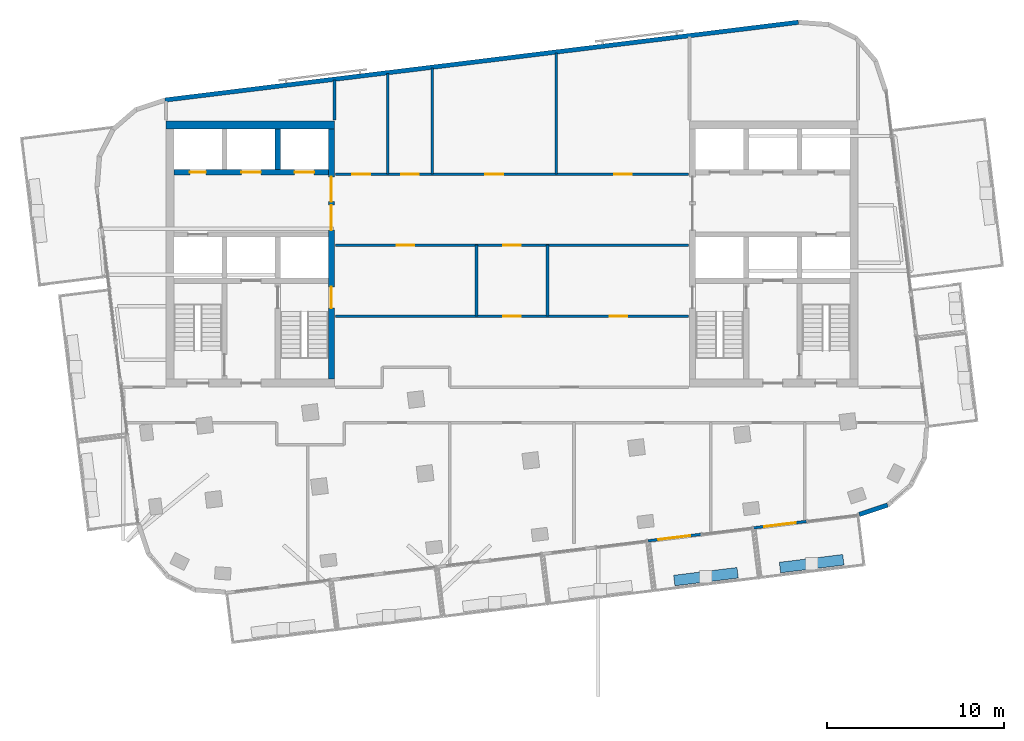
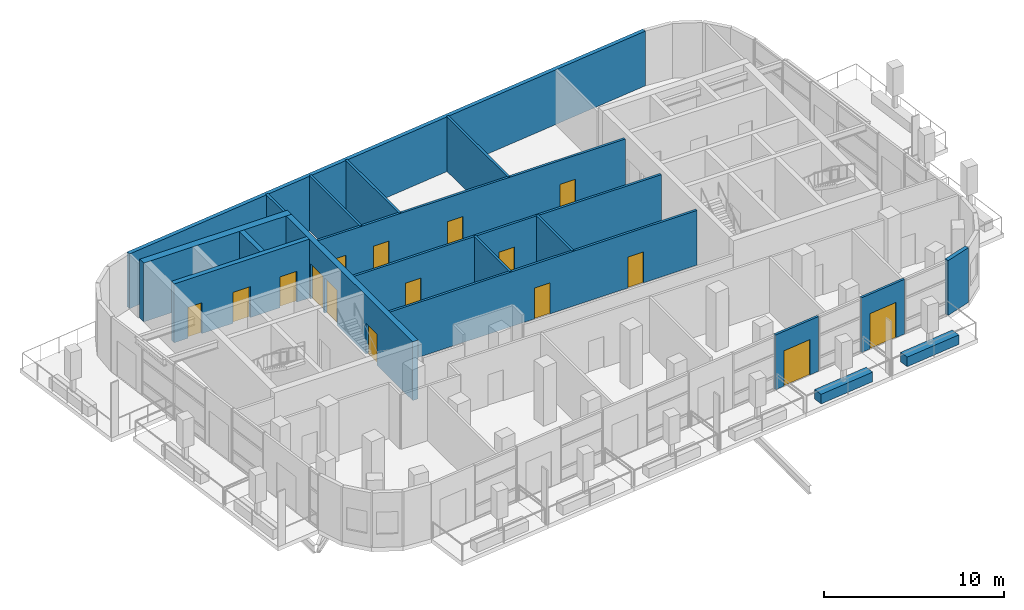
# One storey, part 7 of 13: 19 walls, 16 doors, 16 openings.
"""IFC4 building model written with IfcOpenShell, lengths in metres."""

from ifc_helpers import new_model, si_unit, direction, frame, frame_2d, origin, place, context, subcontext, project, spatial, rectangle, extrude, material, layer, layer_set, type_object, element, fill, save


model = new_model("IFC4")

# Units and contexts
model_context = context("Model", 3, precision=1e-05, world=origin(), true_north=direction((0.0, 1.0)))
body_context = subcontext(model_context, "Body", "Model", "MODEL_VIEW")
ifc_project = project(units=[si_unit("LENGTHUNIT", "METRE"), si_unit("AREAUNIT", "SQUARE_METRE"), si_unit("VOLUMEUNIT", "CUBIC_METRE"), si_unit("PLANEANGLEUNIT", "RADIAN"), si_unit("MASSUNIT", "GRAM", prefix="KILO")], contexts=[model_context])

# Site, building, storey
site_placement = place(None, origin())
site = spatial("IfcSite", under=ifc_project, at=site_placement, CompositionType="ELEMENT")
building_placement = place(site_placement, origin())
building = spatial("IfcBuilding", under=site, at=building_placement, Name="Torana Hotel and Residences", CompositionType="ELEMENT")
storey_placement = place(building_placement, frame((0.0, 0.0, 314.60009765625)))
storey = spatial("IfcBuildingStorey", under=building, at=storey_placement, Name="L83", CompositionType="ELEMENT", Elevation=314.60009765625)

# Wall, openings, doors
ifc_material_1 = material(Name="Concrete C60/75", Category="concrete")
ifc_layer_1 = layer(ifc_material_1, 0.300048828125)
ifc_layer_set_1 = layer_set([ifc_layer_1], Name="CORE WALL 300 C60/75")
wall_type_1 = type_object("IfcWallType", Name="CORE WALL 300 C60/75", PredefinedType="SHEAR", material=ifc_layer_set_1)
wall_1_placement = place(storey_placement, frame((-19.050048828125, -2.89990234375, 0.0), z_axis=(0.0, 0.0, 1.0), x_axis=(1.0, 0.0, 0.0)))
wall_1 = element("IfcWall", 1, at=wall_1_placement, inside=storey, type_object=wall_type_1, Name="Core wall W row-N", PredefinedType="SHEAR", context=body_context, shape_type="SweptSolid", body=[
    extrude(rectangle(XDim=8.699951171875, YDim=0.300048828125, at=frame_2d((4.35009765625, 0.0))), origin(), (0.0, 0.0, 1.0), 4.0),
])
opening_1_placement = place(wall_1_placement, frame((6.800048828125, 0.0, 0.0)))
opening_1 = element("IfcOpeningElement", 2, at=opening_1_placement, cuts=wall_1, Name="Opening LD", PredefinedType="OPENING", context=body_context, shape_type="SweptSolid", body=[
    extrude(rectangle(XDim=1.10009765625, YDim=2.10009765625, at=frame_2d((0.550048828125, 1.050048828125))), frame((0.0, 0.159912109375, 0.0), z_axis=(0.0, -1.0, 0.0), x_axis=(1.0, 0.0, 0.0)), (0.0, 0.0, 1.0), 0.320068359375),
])
opening_2_placement = place(wall_1_placement, frame((3.800048828125, 0.0, 0.0)))
opening_2 = element("IfcOpeningElement", 3, at=opening_2_placement, cuts=wall_1, Name="Opening LD", PredefinedType="OPENING", context=body_context, shape_type="SweptSolid", body=[
    extrude(rectangle(XDim=1.10009765625, YDim=2.10009765625, at=frame_2d((0.550048828125, 1.050048828125))), frame((0.0, 0.159912109375, 0.0), z_axis=(0.0, -1.0, 0.0), x_axis=(1.0, 0.0, 0.0)), (0.0, 0.0, 1.0), 0.320068359375),
])
opening_3_placement = place(wall_1_placement, frame((0.89990234375, 0.0, 0.0)))
opening_3 = element("IfcOpeningElement", 4, at=opening_3_placement, cuts=wall_1, Name="Opening L83-06", PredefinedType="OPENING", context=body_context, shape_type="SweptSolid", body=[
    extrude(rectangle(XDim=0.89990234375, YDim=2.10009765625, at=frame_2d((0.449951171875, 1.050048828125))), frame((0.0, 0.159912109375, 0.0), z_axis=(0.0, -1.0, 0.0), x_axis=(1.0, 0.0, 0.0)), (0.0, 0.0, 1.0), 0.320068359375),
])
ifc_material_2 = material(Name="Stainless steel 316", Category="steel")
door_type_1 = type_object("IfcDoorType", Name="LIFT LANDING DOOR LD 1100x2100", OperationType="DOUBLE_DOOR_SLIDING", PredefinedType="USERDEFINED", material=ifc_material_2)
door_1_placement = place(opening_1_placement, origin())
door_1 = element("IfcDoor", 5, at=door_1_placement, inside=storey, type_object=door_type_1, Name="Lift landing door H1 L83", ObjectType="LIFT LANDING DOOR", OperationType="DOUBLE_DOOR_SLIDING", OverallHeight=2.10009765625, OverallWidth=1.10009765625, PredefinedType="USERDEFINED", context=body_context, shape_type="SweptSolid", body=[
    extrude(rectangle(XDim=1.10009765625, YDim=2.10009765625, at=frame_2d((0.550048828125, 1.050048828125))), frame((0.0, 0.02490234375, 0.0), z_axis=(0.0, -1.0, 0.0), x_axis=(1.0, 0.0, 0.0)), (0.0, 0.0, 1.0), 0.050048828125),
])
fill(opening_1, door_1)
door_2_placement = place(opening_2_placement, origin())
door_2 = element("IfcDoor", 6, at=door_2_placement, inside=storey, type_object=door_type_1, Name="Lift landing door H2 L83", ObjectType="LIFT LANDING DOOR", OperationType="DOUBLE_DOOR_SLIDING", OverallHeight=2.10009765625, OverallWidth=1.10009765625, PredefinedType="USERDEFINED", context=body_context, shape_type="SweptSolid", body=[
    extrude(rectangle(XDim=1.10009765625, YDim=2.10009765625, at=frame_2d((0.550048828125, 1.050048828125))), frame((0.0, 0.02490234375, 0.0), z_axis=(0.0, -1.0, 0.0), x_axis=(1.0, 0.0, 0.0)), (0.0, 0.0, 1.0), 0.050048828125),
])
fill(opening_2, door_2)
ifc_material_3 = material(Name="Steel S235", Category="steel")
door_type_2 = type_object("IfcDoorType", Name="RISER ACCESS DOOR D5 900x2100", OperationType="SINGLE_SWING_LEFT", PredefinedType="DOOR", material=ifc_material_3)
door_3_placement = place(opening_3_placement, origin())
door_3 = element("IfcDoor", 7, at=door_3_placement, inside=storey, type_object=door_type_2, Name="N2 door L83", OperationType="SINGLE_SWING_RIGHT", OverallHeight=2.10009765625, OverallWidth=0.89990234375, PredefinedType="DOOR", context=body_context, shape_type="SweptSolid", body=[
    extrude(rectangle(XDim=0.89990234375, YDim=2.10009765625, at=frame_2d((0.449951171875, 1.050048828125))), frame((0.0, 0.02490234375, 0.0), z_axis=(0.0, -1.0, 0.0), x_axis=(1.0, 0.0, 0.0)), (0.0, 0.0, 1.0), 0.050048828125),
])
fill(opening_3, door_3)

# Wall
wall_2_placement = place(storey_placement, frame((-13.199951171875, -2.75, 0.0), z_axis=(0.0, 0.0, 1.0), x_axis=(0.0, 1.0, 0.0)))
element("IfcWall", 8, at=wall_2_placement, inside=storey, type_object=wall_type_1, Name="Core wall W x3.05-N", PredefinedType="SHEAR", context=body_context, shape_type="SweptSolid", body=[
    extrude(rectangle(XDim=2.300048828125, YDim=0.300048828125, at=frame_2d((1.14990234375, 0.0))), origin(), (0.0, 0.0, 1.0), 4.0),
])

# Wall, openings, doors
ifc_material_4 = material(Name="Concrete C60/75", Category="concrete")
ifc_layer_2 = layer(ifc_material_4, 0.35009765625)
ifc_layer_set_2 = layer_set([ifc_layer_2], Name="CORE WALL 350 C60/75")
wall_type_2 = type_object("IfcWallType", Name="CORE WALL 350 C60/75", PredefinedType="SHEAR", material=ifc_layer_set_2)
wall_3_placement = place(storey_placement, frame((-10.175048828125, -14.550048828125, 0.0), z_axis=(0.0, 0.0, 1.0), x_axis=(0.0, 1.0, 0.0)))
wall_3 = element("IfcWall", 9, at=wall_3_placement, inside=storey, type_object=wall_type_2, Name="Core wall W arch", PredefinedType="SHEAR", context=body_context, shape_type="SweptSolid", body=[
    extrude(rectangle(XDim=14.10009765625, YDim=0.35009765625, at=frame_2d((7.050048828125, 0.0))), origin(), (0.0, 0.0, 1.0), 4.0),
])
opening_4_placement = place(wall_3_placement, frame((8.39990234375, 0.0, 0.0)))
opening_4 = element("IfcOpeningElement", 10, at=opening_4_placement, cuts=wall_3, Name="Opening L83-01", PredefinedType="OPENING", context=body_context, shape_type="SweptSolid", body=[
    extrude(rectangle(XDim=1.39990234375, YDim=2.39990234375, at=frame_2d((0.699951171875, 1.199951171875))), frame((0.0, 0.18505859375, 0.0), z_axis=(0.0, -1.0, 0.0), x_axis=(1.0, 0.0, 0.0)), (0.0, 0.0, 1.0), 0.3701171875),
])
opening_5_placement = place(wall_3_placement, frame((10.0, 0.0, 0.0)))
opening_5 = element("IfcOpeningElement", 11, at=opening_5_placement, cuts=wall_3, Name="Opening L83-02", PredefinedType="OPENING", context=body_context, shape_type="SweptSolid", body=[
    extrude(rectangle(XDim=1.39990234375, YDim=2.39990234375, at=frame_2d((0.699951171875, 1.199951171875))), frame((0.0, 0.18505859375, 0.0), z_axis=(0.0, -1.0, 0.0), x_axis=(1.0, 0.0, 0.0)), (0.0, 0.0, 1.0), 0.3701171875),
])
opening_6_placement = place(wall_3_placement, frame((4.0, 0.0, 0.0)))
opening_6 = element("IfcOpeningElement", 12, at=opening_6_placement, cuts=wall_3, Name="Opening L83-03", PredefinedType="OPENING", context=body_context, shape_type="SweptSolid", body=[
    extrude(rectangle(XDim=1.199951171875, YDim=2.10009765625, at=frame_2d((0.60009765625, 1.050048828125))), frame((0.0, 0.18505859375, 0.0), z_axis=(0.0, -1.0, 0.0), x_axis=(1.0, 0.0, 0.0)), (0.0, 0.0, 1.0), 0.3701171875),
])
ifc_material_5 = material(Name="Steel S235", Category="steel")
door_type_3 = type_object("IfcDoorType", Name="LOBBY FIRE DOOR D4 1400x2400", OperationType="DOUBLE_DOOR_SINGLE_SWING", PredefinedType="DOOR", material=ifc_material_5)
door_4_placement = place(opening_4_placement, origin())
door_4 = element("IfcDoor", 13, at=door_4_placement, inside=storey, type_object=door_type_3, Name="Lobby-1 door L83", OperationType="DOUBLE_DOOR_SINGLE_SWING", OverallHeight=2.39990234375, OverallWidth=1.39990234375, PredefinedType="DOOR", context=body_context, shape_type="SweptSolid", body=[
    extrude(rectangle(XDim=1.39990234375, YDim=2.39990234375, at=frame_2d((0.699951171875, 1.199951171875))), frame((0.0, 0.02490234375, 0.0), z_axis=(0.0, -1.0, 0.0), x_axis=(1.0, 0.0, 0.0)), (0.0, 0.0, 1.0), 0.050048828125),
])
fill(opening_4, door_4)
door_5_placement = place(opening_5_placement, origin())
door_5 = element("IfcDoor", 14, at=door_5_placement, inside=storey, type_object=door_type_3, Name="Lobby-2 door L83", OperationType="DOUBLE_DOOR_SINGLE_SWING", OverallHeight=2.39990234375, OverallWidth=1.39990234375, PredefinedType="DOOR", context=body_context, shape_type="SweptSolid", body=[
    extrude(rectangle(XDim=1.39990234375, YDim=2.39990234375, at=frame_2d((0.699951171875, 1.199951171875))), frame((0.0, 0.02490234375, 0.0), z_axis=(0.0, -1.0, 0.0), x_axis=(1.0, 0.0, 0.0)), (0.0, 0.0, 1.0), 0.050048828125),
])
fill(opening_5, door_5)
ifc_material_6 = material(Name="Steel S235", Category="steel")
door_type_4 = type_object("IfcDoorType", Name="STAIR FIRE DOOR D3 1200x2100", OperationType="SINGLE_SWING_LEFT", PredefinedType="DOOR", material=ifc_material_6)
door_6_placement = place(opening_6_placement, origin())
door_6 = element("IfcDoor", 15, at=door_6_placement, inside=storey, type_object=door_type_4, Name="Stair-A door L83", OperationType="SINGLE_SWING_LEFT", OverallHeight=2.10009765625, OverallWidth=1.199951171875, PredefinedType="DOOR", context=body_context, shape_type="SweptSolid", body=[
    extrude(rectangle(XDim=1.199951171875, YDim=2.10009765625, at=frame_2d((0.60009765625, 1.050048828125))), frame((0.0, 0.02490234375, 0.0), z_axis=(0.0, -1.0, 0.0), x_axis=(1.0, 0.0, 0.0)), (0.0, 0.0, 1.0), 0.050048828125),
])
fill(opening_6, door_6)

# Walls
ifc_material_7 = material(Name="Concrete C60/75", Category="concrete")
ifc_layer_3 = layer(ifc_material_7, 0.449951171875)
ifc_layer_set_3 = layer_set([ifc_layer_3], Name="CORE WALL 450 C60/75")
wall_type_3 = type_object("IfcWallType", Name="CORE WALL 450 C60/75", PredefinedType="SHEAR", material=ifc_layer_set_3)
wall_4_placement = place(storey_placement, frame((-19.5, -0.22509765625, 0.0), z_axis=(0.0, 0.0, 1.0), x_axis=(1.0, 0.0, 0.0)))
element("IfcWall", 16, at=wall_4_placement, inside=storey, type_object=wall_type_3, Name="Core wall W rear", PredefinedType="SHEAR", context=body_context, shape_type="SweptSolid", body=[
    extrude(rectangle(XDim=9.5, YDim=0.449951171875, at=frame_2d((4.75, 0.0))), origin(), (0.0, 0.0, 1.0), 4.0),
])
ifc_material_8 = material(Name="Black aluminium composite panel", Category="aluminium")
ifc_layer_4 = layer(ifc_material_8, 0.00390625, Name="Cladding", Category="cladding")
ifc_material_9 = material(Name="Ventilated air cavity")
ifc_layer_5 = layer(ifc_material_9, 0.0400390625, Name="Ventilated cavity", Category="cavity")
ifc_material_10 = material(Name="Mineral wool insulation")
ifc_layer_6 = layer(ifc_material_10, 0.090087890625, Name="Insulation", Category="insulation")
ifc_material_11 = material(Name="Steel S280GD", Category="steel")
ifc_layer_7 = layer(ifc_material_11, 0.092041015625, Name="Steel stud frame", Category="structure")
ifc_material_12 = material(Name="Fire rated plasterboard")
ifc_layer_8 = layer(ifc_material_12, 0.011962890625, Name="Inner board", Category="finish")
ifc_layer_9 = layer(ifc_material_12, 0.011962890625, Name="Second board", Category="finish")
ifc_layer_set_4 = layer_set([ifc_layer_4, ifc_layer_5, ifc_layer_6, ifc_layer_7, ifc_layer_8, ifc_layer_9], Name="EW1 EXTERNAL WALL BLACK METAL CLAD 250")
wall_type_4 = type_object("IfcWallType", Name="EW1 EXTERNAL WALL BLACK METAL CLAD 250", PredefinedType="SOLIDWALL", material=ifc_layer_set_4)
wall_5_placement = place(storey_placement, frame((19.568359375, -22.1748046875, 0.0), z_axis=(0.0, 0.0, 1.0), x_axis=(0.949694735798, 0.313177120489, 0.0)))
element("IfcWall", 17, at=wall_5_placement, inside=storey, type_object=wall_type_4, Name="External wall L83 e0.15", PredefinedType="SOLIDWALL", context=body_context, shape_type="SweptSolid", body=[
    extrude(rectangle(XDim=1.681396484375, YDim=0.25, at=frame_2d((0.8408203125, 0.0))), origin(), (0.0, 0.0, 1.0), 3.719970703125),
])
ifc_material_13 = material(Name="Concrete C40/50 precast", Category="concrete")
ifc_layer_10 = layer(ifc_material_13, 0.10009765625, Name="Perforated block", Category="cladding")
ifc_material_14 = material(Name="Air cavity")
ifc_layer_11 = layer(ifc_material_14, 0.030029296875, Name="Cavity", Category="cavity")
ifc_material_15 = material(Name="Concrete C40/50", Category="concrete")
ifc_layer_12 = layer(ifc_material_15, 0.10009765625, Name="Wall", Category="structure")
ifc_material_16 = material(Name="Plaster and paint")
ifc_layer_13 = layer(ifc_material_16, 0.02001953125, Name="Inner finish", Category="finish")
ifc_layer_set_5 = layer_set([ifc_layer_10, ifc_layer_11, ifc_layer_12, ifc_layer_13], Name="EW2 PERFORATED BLOCK SCREEN WALL 250")
wall_type_5 = type_object("IfcWallType", Name="EW2 PERFORATED BLOCK SCREEN WALL 250", PredefinedType="SOLIDWALL", material=ifc_layer_set_5)
wall_6_placement = place(storey_placement, frame((16.13818359375, 5.561279296875, 0.0), z_axis=(0.0, 0.0, 1.0), x_axis=(-0.992546726876, -0.121864658405, 0.0)))
element("IfcWall", 18, at=wall_6_placement, inside=storey, type_object=wall_type_5, Name="External wall L83 e0.4", PredefinedType="SOLIDWALL", context=body_context, shape_type="SweptSolid", body=[
    extrude(rectangle(XDim=35.95068359375, YDim=0.25, at=frame_2d((17.975341796875, 0.0))), origin(), (0.0, 0.0, 1.0), 3.719970703125),
])
ifc_material_17 = material(Name="Gypsum plaster")
ifc_layer_14 = layer(ifc_material_17, 0.014892578125, Name="Plaster", Category="finish")
ifc_material_18 = material(Name="Concrete blockwork", Category="masonry")
ifc_layer_15 = layer(ifc_material_18, 0.1201171875, Name="Blockwork", Category="structure")
ifc_layer_16 = layer(ifc_material_17, 0.014892578125, Name="Plaster", Category="finish")
ifc_layer_set_6 = layer_set([ifc_layer_14, ifc_layer_15, ifc_layer_16], Name="FIRE PARTITION 150 BLOCKWORK")
wall_type_6 = type_object("IfcWallType", Name="FIRE PARTITION 150 BLOCKWORK", PredefinedType="PARTITIONING", material=ifc_layer_set_6)
for number, where, z_axis, x_axis, name in (
    (19, (2.0, -11.0, 0.0), (0.0, 0.0, 1.0), (0.0, 1.0, 0.0), "Partition L83"),
    (20, (-2.0, -11.0, 0.0), (0.0, 0.0, 1.0), (0.0, 1.0, 0.0), "Partition L83"),
):
    element("IfcWall", number, at=place(storey_placement, frame(where, z_axis=z_axis, x_axis=x_axis)), inside=storey, type_object=wall_type_6, Name=name, PredefinedType="PARTITIONING", context=body_context, shape_type="SweptSolid", body=[
        extrude(rectangle(XDim=4.0, YDim=0.14990234375, at=frame_2d((2.0, 0.0))), origin(), (0.0, 0.0, 1.0), 3.719970703125),
    ])

# Wall, openings, doors
wall_7_placement = place(storey_placement, frame((-9.949951171875, -11.0, 0.0), z_axis=(0.0, 0.0, 1.0), x_axis=(1.0, 0.0, 0.0)))
wall_7 = element("IfcWall", 21, at=wall_7_placement, inside=storey, type_object=wall_type_6, Name="Partition L83", PredefinedType="PARTITIONING", context=body_context, shape_type="SweptSolid", body=[
    extrude(rectangle(XDim=19.89990234375, YDim=0.14990234375, at=frame_2d((9.949951171875, 0.0))), origin(), (0.0, 0.0, 1.0), 3.719970703125),
])
opening_7_placement = place(wall_7_placement, frame((9.449951171875, 0.0, 0.0)))
opening_7 = element("IfcOpeningElement", 22, at=opening_7_placement, cuts=wall_7, Name="Opening L83-26", PredefinedType="OPENING", context=body_context, shape_type="SweptSolid", body=[
    extrude(rectangle(XDim=1.0, YDim=2.10009765625, at=frame_2d((0.5, 1.050048828125))), frame((0.0, 0.0849609375, 0.0), z_axis=(0.0, -1.0, 0.0), x_axis=(1.0, 0.0, 0.0)), (0.0, 0.0, 1.0), 0.169921875),
])
opening_8_placement = place(wall_7_placement, frame((15.449951171875, 0.0, 0.0)))
opening_8 = element("IfcOpeningElement", 23, at=opening_8_placement, cuts=wall_7, Name="Opening L83-27", PredefinedType="OPENING", context=body_context, shape_type="SweptSolid", body=[
    extrude(rectangle(XDim=1.0, YDim=2.10009765625, at=frame_2d((0.5, 1.050048828125))), frame((0.0, 0.0849609375, 0.0), z_axis=(0.0, -1.0, 0.0), x_axis=(1.0, 0.0, 0.0)), (0.0, 0.0, 1.0), 0.169921875),
])
ifc_material_19 = material(Name="Steel S235", Category="steel")
door_type_5 = type_object("IfcDoorType", Name="ENTRY FIRE DOOR D6 1000x2100", OperationType="SINGLE_SWING_LEFT", PredefinedType="DOOR", material=ifc_material_19)
door_7_placement = place(opening_7_placement, origin())
door_7 = element("IfcDoor", 24, at=door_7_placement, inside=storey, type_object=door_type_5, Name="Door L83", OperationType="SINGLE_SWING_RIGHT", OverallHeight=2.10009765625, OverallWidth=1.0, PredefinedType="DOOR", context=body_context, shape_type="SweptSolid", body=[
    extrude(rectangle(XDim=1.0, YDim=2.10009765625, at=frame_2d((0.5, 1.050048828125))), frame((0.0, 0.02490234375, 0.0), z_axis=(0.0, -1.0, 0.0), x_axis=(1.0, 0.0, 0.0)), (0.0, 0.0, 1.0), 0.050048828125),
])
fill(opening_7, door_7)
door_8_placement = place(opening_8_placement, origin())
door_8 = element("IfcDoor", 25, at=door_8_placement, inside=storey, type_object=door_type_5, Name="Door L83", OperationType="SINGLE_SWING_RIGHT", OverallHeight=2.10009765625, OverallWidth=1.0, PredefinedType="DOOR", context=body_context, shape_type="SweptSolid", body=[
    extrude(rectangle(XDim=1.0, YDim=2.10009765625, at=frame_2d((0.5, 1.050048828125))), frame((0.0, 0.02490234375, 0.0), z_axis=(0.0, -1.0, 0.0), x_axis=(1.0, 0.0, 0.0)), (0.0, 0.0, 1.0), 0.050048828125),
])
fill(opening_8, door_8)

wall_8_placement = place(storey_placement, frame((-9.949951171875, -7.0, 0.0), z_axis=(0.0, 0.0, 1.0), x_axis=(1.0, 0.0, 0.0)))
wall_8 = element("IfcWall", 26, at=wall_8_placement, inside=storey, type_object=wall_type_6, Name="Partition L83", PredefinedType="PARTITIONING", context=body_context, shape_type="SweptSolid", body=[
    extrude(rectangle(XDim=19.89990234375, YDim=0.14990234375, at=frame_2d((9.949951171875, 0.0))), origin(), (0.0, 0.0, 1.0), 3.719970703125),
])
opening_9_placement = place(wall_8_placement, frame((9.449951171875, 0.0, 0.0)))
opening_9 = element("IfcOpeningElement", 27, at=opening_9_placement, cuts=wall_8, Name="Opening L83-28", PredefinedType="OPENING", context=body_context, shape_type="SweptSolid", body=[
    extrude(rectangle(XDim=1.0, YDim=2.10009765625, at=frame_2d((0.5, 1.050048828125))), frame((0.0, 0.0849609375, 0.0), z_axis=(0.0, -1.0, 0.0), x_axis=(1.0, 0.0, 0.0)), (0.0, 0.0, 1.0), 0.169921875),
])
opening_10_placement = place(wall_8_placement, frame((3.449951171875, 0.0, 0.0)))
opening_10 = element("IfcOpeningElement", 28, at=opening_10_placement, cuts=wall_8, Name="Opening L83-29", PredefinedType="OPENING", context=body_context, shape_type="SweptSolid", body=[
    extrude(rectangle(XDim=1.0, YDim=2.10009765625, at=frame_2d((0.5, 1.050048828125))), frame((0.0, 0.0849609375, 0.0), z_axis=(0.0, -1.0, 0.0), x_axis=(1.0, 0.0, 0.0)), (0.0, 0.0, 1.0), 0.169921875),
])
door_9_placement = place(opening_9_placement, origin())
door_9 = element("IfcDoor", 29, at=door_9_placement, inside=storey, type_object=door_type_5, Name="Door L83", OperationType="SINGLE_SWING_RIGHT", OverallHeight=2.10009765625, OverallWidth=1.0, PredefinedType="DOOR", context=body_context, shape_type="SweptSolid", body=[
    extrude(rectangle(XDim=1.0, YDim=2.10009765625, at=frame_2d((0.5, 1.050048828125))), frame((0.0, 0.02490234375, 0.0), z_axis=(0.0, -1.0, 0.0), x_axis=(1.0, 0.0, 0.0)), (0.0, 0.0, 1.0), 0.050048828125),
])
fill(opening_9, door_9)
door_10_placement = place(opening_10_placement, frame((0.5, 0.0, 0.0), z_axis=(0.0, 0.0, 1.0), x_axis=(-1.0, 0.0, 0.0)))
door_10 = element("IfcDoor", 30, at=door_10_placement, inside=storey, type_object=door_type_5, Name="Door L83", OperationType="SINGLE_SWING_LEFT", OverallHeight=2.10009765625, OverallWidth=1.0, PredefinedType="DOOR", context=body_context, shape_type="SweptSolid", body=[
    extrude(rectangle(XDim=1.0, YDim=2.10009765625, at=frame_2d((0.0, 1.050048828125))), frame((0.0, -0.02490234375, 0.0), z_axis=(0.0, 1.0, 0.0), x_axis=(-1.0, 0.0, 0.0)), (0.0, 0.0, 1.0), 0.050048828125),
])
fill(opening_10, door_10)

wall_9_placement = place(storey_placement, frame((-9.949951171875, -3.0, 0.0), z_axis=(0.0, 0.0, 1.0), x_axis=(1.0, 0.0, 0.0)))
wall_9 = element("IfcWall", 31, at=wall_9_placement, inside=storey, type_object=wall_type_6, Name="Partition L83", PredefinedType="PARTITIONING", context=body_context, shape_type="SweptSolid", body=[
    extrude(rectangle(XDim=19.89990234375, YDim=0.14990234375, at=frame_2d((9.949951171875, 0.0))), origin(), (0.0, 0.0, 1.0), 3.719970703125),
])
opening_11_placement = place(wall_9_placement, frame((0.949951171875, 0.0, 0.0)))
opening_11 = element("IfcOpeningElement", 32, at=opening_11_placement, cuts=wall_9, Name="Opening L83-30", PredefinedType="OPENING", context=body_context, shape_type="SweptSolid", body=[
    extrude(rectangle(XDim=1.0, YDim=2.10009765625, at=frame_2d((0.5, 1.050048828125))), frame((0.0, 0.0849609375, 0.0), z_axis=(0.0, -1.0, 0.0), x_axis=(1.0, 0.0, 0.0)), (0.0, 0.0, 1.0), 0.169921875),
])
opening_12_placement = place(wall_9_placement, frame((3.699951171875, 0.0, 0.0)))
opening_12 = element("IfcOpeningElement", 33, at=opening_12_placement, cuts=wall_9, Name="Opening L83-31", PredefinedType="OPENING", context=body_context, shape_type="SweptSolid", body=[
    extrude(rectangle(XDim=1.0, YDim=2.10009765625, at=frame_2d((0.5, 1.050048828125))), frame((0.0, 0.0849609375, 0.0), z_axis=(0.0, -1.0, 0.0), x_axis=(1.0, 0.0, 0.0)), (0.0, 0.0, 1.0), 0.169921875),
])
opening_13_placement = place(wall_9_placement, frame((8.449951171875, 0.0, 0.0)))
opening_13 = element("IfcOpeningElement", 34, at=opening_13_placement, cuts=wall_9, Name="Opening L83-32", PredefinedType="OPENING", context=body_context, shape_type="SweptSolid", body=[
    extrude(rectangle(XDim=1.0, YDim=2.10009765625, at=frame_2d((0.5, 1.050048828125))), frame((0.0, 0.0849609375, 0.0), z_axis=(0.0, -1.0, 0.0), x_axis=(1.0, 0.0, 0.0)), (0.0, 0.0, 1.0), 0.169921875),
])
opening_14_placement = place(wall_9_placement, frame((15.699951171875, 0.0, 0.0)))
opening_14 = element("IfcOpeningElement", 35, at=opening_14_placement, cuts=wall_9, Name="Opening L83-33", PredefinedType="OPENING", context=body_context, shape_type="SweptSolid", body=[
    extrude(rectangle(XDim=1.0, YDim=2.10009765625, at=frame_2d((0.5, 1.050048828125))), frame((0.0, 0.0849609375, 0.0), z_axis=(0.0, -1.0, 0.0), x_axis=(1.0, 0.0, 0.0)), (0.0, 0.0, 1.0), 0.169921875),
])
door_11_placement = place(opening_11_placement, origin())
door_11 = element("IfcDoor", 36, at=door_11_placement, inside=storey, type_object=door_type_5, Name="Door L83", OperationType="SINGLE_SWING_RIGHT", OverallHeight=2.10009765625, OverallWidth=1.0, PredefinedType="DOOR", context=body_context, shape_type="SweptSolid", body=[
    extrude(rectangle(XDim=1.0, YDim=2.10009765625, at=frame_2d((0.5, 1.050048828125))), frame((0.0, 0.02490234375, 0.0), z_axis=(0.0, -1.0, 0.0), x_axis=(1.0, 0.0, 0.0)), (0.0, 0.0, 1.0), 0.050048828125),
])
fill(opening_11, door_11)
door_12_placement = place(opening_12_placement, origin())
door_12 = element("IfcDoor", 37, at=door_12_placement, inside=storey, type_object=door_type_5, Name="Door L83", OperationType="SINGLE_SWING_RIGHT", OverallHeight=2.10009765625, OverallWidth=1.0, PredefinedType="DOOR", context=body_context, shape_type="SweptSolid", body=[
    extrude(rectangle(XDim=1.0, YDim=2.10009765625, at=frame_2d((0.5, 1.050048828125))), frame((0.0, 0.02490234375, 0.0), z_axis=(0.0, -1.0, 0.0), x_axis=(1.0, 0.0, 0.0)), (0.0, 0.0, 1.0), 0.050048828125),
])
fill(opening_12, door_12)
door_13_placement = place(opening_13_placement, origin())
door_13 = element("IfcDoor", 38, at=door_13_placement, inside=storey, type_object=door_type_5, Name="Door L83", OperationType="SINGLE_SWING_RIGHT", OverallHeight=2.10009765625, OverallWidth=1.0, PredefinedType="DOOR", context=body_context, shape_type="SweptSolid", body=[
    extrude(rectangle(XDim=1.0, YDim=2.10009765625, at=frame_2d((0.5, 1.050048828125))), frame((0.0, 0.02490234375, 0.0), z_axis=(0.0, -1.0, 0.0), x_axis=(1.0, 0.0, 0.0)), (0.0, 0.0, 1.0), 0.050048828125),
])
fill(opening_13, door_13)
door_14_placement = place(opening_14_placement, origin())
door_14 = element("IfcDoor", 39, at=door_14_placement, inside=storey, type_object=door_type_5, Name="Door L83", OperationType="SINGLE_SWING_RIGHT", OverallHeight=2.10009765625, OverallWidth=1.0, PredefinedType="DOOR", context=body_context, shape_type="SweptSolid", body=[
    extrude(rectangle(XDim=1.0, YDim=2.10009765625, at=frame_2d((0.5, 1.050048828125))), frame((0.0, 0.02490234375, 0.0), z_axis=(0.0, -1.0, 0.0), x_axis=(1.0, 0.0, 0.0)), (0.0, 0.0, 1.0), 0.050048828125),
])
fill(opening_14, door_14)

# Wall, opening, door
ifc_material_20 = material(Name="Dark glass screen in aluminium frame", Category="aluminium")
ifc_layer_17 = layer(ifc_material_20, 0.14990234375)
ifc_layer_set_7 = layer_set([ifc_layer_17], Name="GS1 GLAZED DOOR SCREEN 150")
wall_type_7 = type_object("IfcWallType", Name="GS1 GLAZED DOOR SCREEN 150", PredefinedType="USERDEFINED", material=ifc_layer_set_7)
wall_10_placement = place(storey_placement, frame((7.661376953125, -23.664306640625, 0.0), z_axis=(0.0, 0.0, 1.0), x_axis=(0.992552088886, 0.121820978688, 0.0)))
wall_10 = element("IfcWall", 40, at=wall_10_placement, inside=storey, type_object=wall_type_7, Name="Glazed door screen L83", ObjectType="GLAZED SCREEN", PredefinedType="USERDEFINED", context=body_context, shape_type="SweptSolid", body=[
    extrude(rectangle(XDim=3.000244140625, YDim=0.14990234375, at=frame_2d((1.5, 0.0))), origin(), (0.0, 0.0, 1.0), 3.719970703125),
])
opening_15_placement = place(wall_10_placement, frame((0.60009765625, 0.0, 0.0)))
opening_15 = element("IfcOpeningElement", 41, at=opening_15_placement, cuts=wall_10, Name="Opening L83-E08", PredefinedType="OPENING", context=body_context, shape_type="SweptSolid", body=[
    extrude(rectangle(XDim=1.800048828125, YDim=2.39990234375, at=frame_2d((0.89990234375, 1.199951171875))), frame((0.0, 0.0849609375, 0.0), z_axis=(0.0, -1.0, 0.0), x_axis=(1.0, 0.0, 0.0)), (0.0, 0.0, 1.0), 0.169921875),
])
ifc_material_21 = material(Name="Dark glass in black aluminium frame", Category="aluminium")
door_type_6 = type_object("IfcDoorType", Name="DB1 BALCONY DOOR 1800x2400", OperationType="DOUBLE_DOOR_SINGLE_SWING", PredefinedType="DOOR", material=ifc_material_21)
door_15_placement = place(opening_15_placement, origin())
door_15 = element("IfcDoor", 42, at=door_15_placement, inside=storey, type_object=door_type_6, Name="Balcony door L83", OperationType="DOUBLE_DOOR_SINGLE_SWING", OverallHeight=2.39990234375, OverallWidth=1.800048828125, PredefinedType="DOOR", context=body_context, shape_type="SweptSolid", body=[
    extrude(rectangle(XDim=1.800048828125, YDim=2.39990234375, at=frame_2d((0.89990234375, 1.199951171875))), frame((0.0, 0.02490234375, 0.0), z_axis=(0.0, -1.0, 0.0), x_axis=(1.0, 0.0, 0.0)), (0.0, 0.0, 1.0), 0.050048828125),
])
fill(opening_15, door_15)

wall_11_placement = place(storey_placement, frame((13.61669921875, -22.93310546875, 0.0), z_axis=(0.0, 0.0, 1.0), x_axis=(0.99255088108, 0.121830819037, 0.0)))
wall_11 = element("IfcWall", 43, at=wall_11_placement, inside=storey, type_object=wall_type_7, Name="Glazed door screen L83", ObjectType="GLAZED SCREEN", PredefinedType="USERDEFINED", context=body_context, shape_type="SweptSolid", body=[
    extrude(rectangle(XDim=3.0, YDim=0.14990234375, at=frame_2d((1.5, 0.0))), origin(), (0.0, 0.0, 1.0), 3.719970703125),
])
opening_16_placement = place(wall_11_placement, frame((0.60009765625, 0.0, 0.0)))
opening_16 = element("IfcOpeningElement", 44, at=opening_16_placement, cuts=wall_11, Name="Opening L83-E09", PredefinedType="OPENING", context=body_context, shape_type="SweptSolid", body=[
    extrude(rectangle(XDim=1.800048828125, YDim=2.39990234375, at=frame_2d((0.89990234375, 1.199951171875))), frame((0.0, 0.0849609375, 0.0), z_axis=(0.0, -1.0, 0.0), x_axis=(1.0, 0.0, 0.0)), (0.0, 0.0, 1.0), 0.169921875),
])
door_16_placement = place(opening_16_placement, origin())
door_16 = element("IfcDoor", 45, at=door_16_placement, inside=storey, type_object=door_type_6, Name="Balcony door L83", OperationType="DOUBLE_DOOR_SINGLE_SWING", OverallHeight=2.39990234375, OverallWidth=1.800048828125, PredefinedType="DOOR", context=body_context, shape_type="SweptSolid", body=[
    extrude(rectangle(XDim=1.800048828125, YDim=2.39990234375, at=frame_2d((0.89990234375, 1.199951171875))), frame((0.0, 0.02490234375, 0.0), z_axis=(0.0, -1.0, 0.0), x_axis=(1.0, 0.0, 0.0)), (0.0, 0.0, 1.0), 0.050048828125),
])
fill(opening_16, door_16)

# Walls
ifc_material_22 = material(Name="Gypsum plasterboard")
ifc_layer_18 = layer(ifc_material_22, 0.012451171875, Name="Plasterboard", Category="finish")
ifc_layer_19 = layer(ifc_material_22, 0.012451171875, Name="Plasterboard", Category="finish")
ifc_layer_20 = layer(ifc_material_11, 0.10009765625, Name="Steel studs with mineral wool", Category="insulation")
ifc_layer_21 = layer(ifc_material_22, 0.012451171875, Name="Plasterboard", Category="finish")
ifc_layer_22 = layer(ifc_material_22, 0.012451171875, Name="Plasterboard", Category="finish")
ifc_layer_set_8 = layer_set([ifc_layer_18, ifc_layer_19, ifc_layer_20, ifc_layer_21, ifc_layer_22], Name="PARTITION 150 PLASTERBOARD")
wall_type_8 = type_object("IfcWallType", Name="PARTITION 150 PLASTERBOARD", PredefinedType="PARTITIONING", material=ifc_layer_set_8)
wall_12_placement = place(storey_placement, frame((2.5, -3.0, 0.0), z_axis=(0.0, 0.0, 1.0), x_axis=(0.0, 1.0, 0.0)))
element("IfcWall", 46, at=wall_12_placement, inside=storey, type_object=wall_type_8, Name="Partition L83", PredefinedType="PARTITIONING", context=body_context, shape_type="SweptSolid", body=[
    extrude(rectangle(XDim=6.83154296875, YDim=0.14990234375, at=frame_2d((3.415771484375, 0.0))), origin(), (0.0, 0.0, 1.0), 3.719970703125),
])
ifc_layer_23 = layer(ifc_material_13, 0.10009765625, Name="Planter shell", Category="structure")
ifc_material_23 = material(Name="Root resistant membrane")
ifc_layer_24 = layer(ifc_material_23, 0.00390625, Name="Waterproofing membrane", Category="membrane")
ifc_material_24 = material(Name="Drainage board with filter fleece")
ifc_layer_25 = layer(ifc_material_24, 0.02001953125, Name="Drainage board", Category="drainage")
ifc_material_25 = material(Name="Growing medium")
ifc_layer_26 = layer(ifc_material_25, 0.47607421875, Name="Planting substrate", Category="soil")
ifc_layer_set_9 = layer_set([ifc_layer_23, ifc_layer_24, ifc_layer_25, ifc_layer_26], Name="PL1 BALCONY PLANTER 600")
wall_type_9 = type_object("IfcWallType", Name="PL1 BALCONY PLANTER 600", PredefinedType="USERDEFINED", material=ifc_layer_set_9)
for number, where, z_axis, x_axis, name in (
    (47, (12.718017578125, -25.461669921875, 0.0), (0.0, 0.0, 1.0), (-0.992545758265, -0.121872547154, 0.0), "Planter 05"),
    (48, (18.67333984375, -24.73046875, 0.0), (0.0, 0.0, 1.0), (-0.992545758265, -0.121872547154, 0.0), "Planter 06"),
):
    element("IfcWall", number, at=place(storey_placement, frame(where, z_axis=z_axis, x_axis=x_axis)), inside=storey, type_object=wall_type_9, Name=name, ObjectType="PLANTER", PredefinedType="USERDEFINED", context=body_context, shape_type="SweptSolid", body=[
        extrude(rectangle(XDim=3.599853515625, YDim=0.60009765625, at=frame_2d((1.7998046875, 0.0))), origin(), (0.0, 0.0, 1.0), 0.64990234375),
    ])
ifc_material_26 = material(Name="Ceramic tile on adhesive")
ifc_layer_27 = layer(ifc_material_26, 0.010009765625, Name="Wall tile", Category="finish")
ifc_material_27 = material(Name="Cement render")
ifc_layer_28 = layer(ifc_material_27, 0.010009765625, Name="Render", Category="finish")
ifc_layer_29 = layer(ifc_material_18, 0.110107421875, Name="Blockwork", Category="structure")
ifc_layer_30 = layer(ifc_material_27, 0.010009765625, Name="Render", Category="finish")
ifc_layer_31 = layer(ifc_material_26, 0.010009765625, Name="Wall tile", Category="finish")
ifc_layer_set_10 = layer_set([ifc_layer_27, ifc_layer_28, ifc_layer_29, ifc_layer_30, ifc_layer_31], Name="WC PARTITION 150")
wall_type_10 = type_object("IfcWallType", Name="WC PARTITION 150", PredefinedType="PLUMBINGWALL", material=ifc_layer_set_10)
wall_13_placement = place(storey_placement, frame((-4.5, -3.0, 0.0), z_axis=(0.0, 0.0, 1.0), x_axis=(0.0, 1.0, 0.0)))
element("IfcWall", 49, at=wall_13_placement, inside=storey, type_object=wall_type_10, Name="Partition L83", PredefinedType="PLUMBINGWALL", context=body_context, shape_type="SweptSolid", body=[
    extrude(rectangle(XDim=5.971923828125, YDim=0.14990234375, at=frame_2d((2.98583984375, 0.0))), origin(), (0.0, 0.0, 1.0), 3.719970703125),
])
wall_14_placement = place(storey_placement, frame((-7.0, -3.0, 0.0), z_axis=(0.0, 0.0, 1.0), x_axis=(0.0, 1.0, 0.0)))
element("IfcWall", 50, at=wall_14_placement, inside=storey, type_object=wall_type_10, Name="Partition L83", PredefinedType="PLUMBINGWALL", context=body_context, shape_type="SweptSolid", body=[
    extrude(rectangle(XDim=5.6650390625, YDim=0.14990234375, at=frame_2d((2.83251953125, 0.0))), origin(), (0.0, 0.0, 1.0), 3.719970703125),
])
wall_15_placement = place(storey_placement, frame((-10.0, 0.050048828125, 0.0), z_axis=(0.0, 0.0, 1.0), x_axis=(0.0, 1.0, 0.0)))
element("IfcWall", 51, at=wall_15_placement, inside=storey, type_object=wall_type_10, Name="Partition L83", PredefinedType="PLUMBINGWALL", context=body_context, shape_type="SweptSolid", body=[
    extrude(rectangle(XDim=2.24658203125, YDim=0.14990234375, at=frame_2d((1.123291015625, 0.0))), origin(), (0.0, 0.0, 1.0), 3.719970703125),
])

save(model, "model.ifc")
